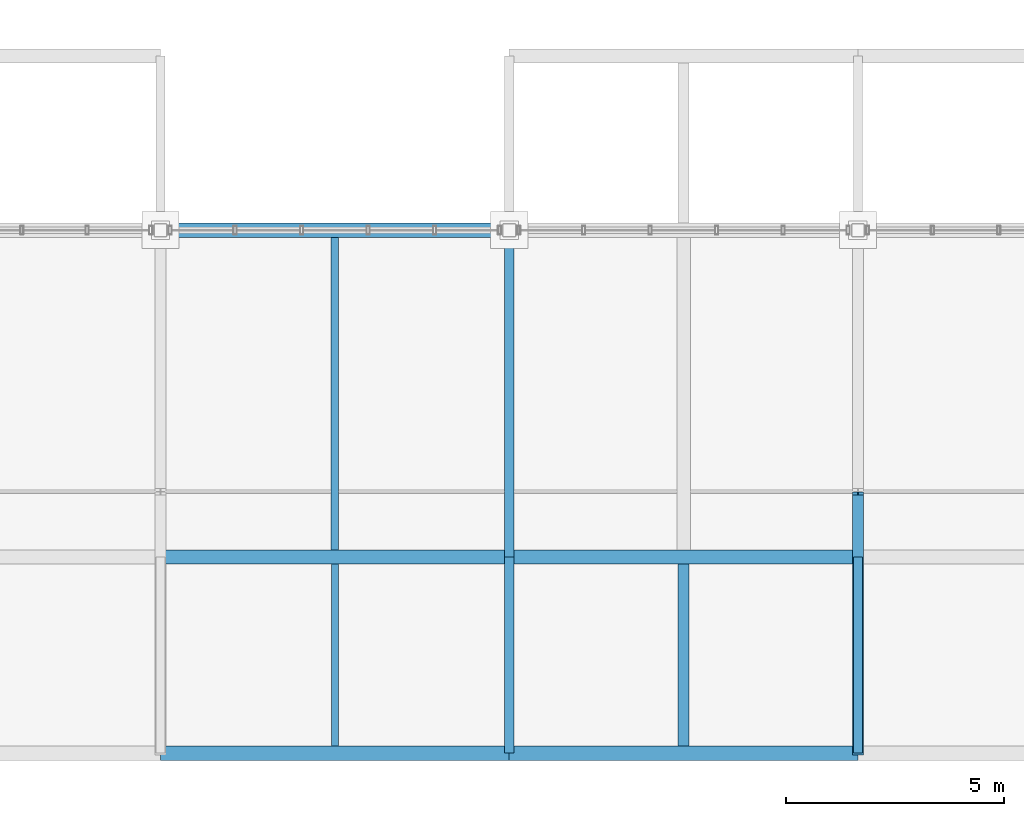
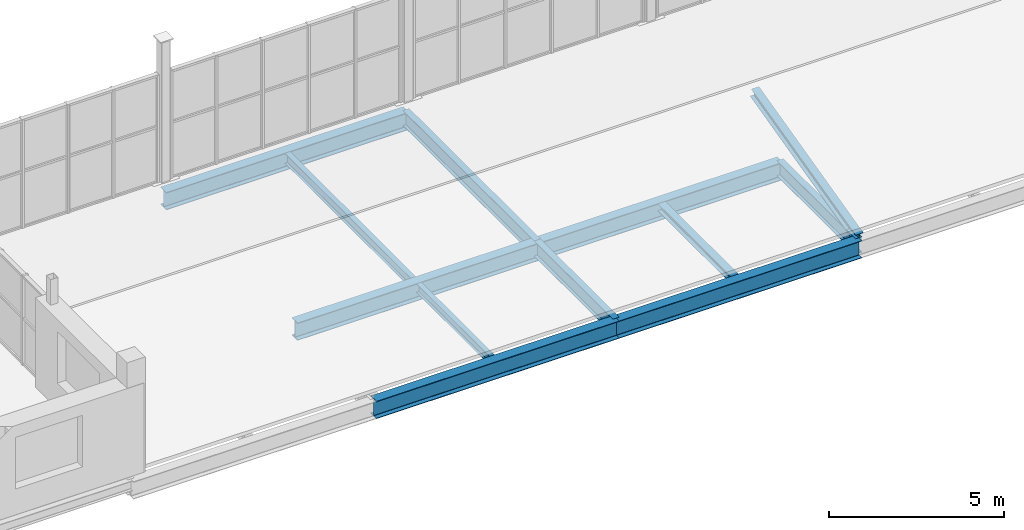
# One storey, part 22 of 96: 11 beams, 1 member.
"""IFC4 building model written with IfcOpenShell, lengths in metres."""

from ifc_helpers import new_model, si_unit, direction, frame, origin, origin_2d, place, context, subcontext, project, spatial, i_section, extrude, material, material_profile, profile_set, type_object, element, save


model = new_model("IFC4")

# Units and contexts
model_context = context("Model", 3, precision=1e-05, world=origin(), true_north=direction((0.0, 1.0)))
body_context = subcontext(model_context, "Body", "Model", "MODEL_VIEW")
ifc_project = project(units=[si_unit("LENGTHUNIT", "METRE"), si_unit("AREAUNIT", "SQUARE_METRE"), si_unit("VOLUMEUNIT", "CUBIC_METRE"), si_unit("PLANEANGLEUNIT", "RADIAN"), si_unit("MASSUNIT", "GRAM", prefix="KILO")], contexts=[model_context])

# Site, building, storey
site_placement = place(None, origin())
site = spatial("IfcSite", under=ifc_project, at=site_placement, CompositionType="ELEMENT")
building_placement = place(site_placement, origin())
building = spatial("IfcBuilding", under=site, at=building_placement, Name="Verrall Gate Interchange", CompositionType="ELEMENT")
storey_placement = place(building_placement, frame((0.0, 0.0, 11.39990234375)))
storey = spatial("IfcBuildingStorey", under=building, at=storey_placement, Name="L03", CompositionType="ELEMENT", Elevation=11.39990234375)

# Beams
ifc_material_1 = material(Name="Structural Steel CSA G40.21 350WT Cat 4", Category="steel")
ifc_material_profile_1 = material_profile(ifc_material_1, i_section(OverallWidth=0.323974609375, OverallDepth=0.611083984375, WebThickness=0.0126953125, FlangeThickness=0.01904296875, FilletRadius=0.014892578125, at=origin_2d()), Name="W610x155")
ifc_profile_set_1 = profile_set([ifc_material_profile_1], Name="Structural Steel CSA G40.21 350WT Cat 4")
beam_type_1 = type_object("IfcBeamType", Name="B-08 Structural Beam W610x155", PredefinedType="BEAM", material=ifc_profile_set_1)
for number, where, z_axis, x_axis, name in (
    (1, (44.0, 0.0, -0.635498046875), (1.0, 0.0, 0.0), (0.0, 1.0, 0.0), "L03 Girder BM-L03-1982 (B-08)"),
    (2, (52.0, 0.0, -0.635498046875), (1.0, 0.0, 0.0), (0.0, 1.0, 0.0), "L03 Girder BM-L03-1983 (B-08)"),
    (3, (44.0, 4.5, -0.635498046875), (1.0, 0.0, 0.0), (0.0, 1.0, 0.0), "L03 Girder BM-L03-1998 (B-08)"),
    (4, (52.0, 4.5, -0.635498046875), (1.0, 0.0, 0.0), (0.0, 1.0, 0.0), "L03 Girder BM-L03-1999 (B-08)"),
    (5, (44.0, 12.0, -0.635498046875), (1.0, 0.0, 0.0), (0.0, 1.0, 0.0), "L03 Girder BM-L03-2013 (B-08)"),
):
    element("IfcBeam", number, at=place(storey_placement, frame(where, z_axis=z_axis, x_axis=x_axis)), inside=storey, type_object=beam_type_1, Name=name, PredefinedType="BEAM", context=body_context, shape_type="SweptSolid", body=[
        extrude(i_section(OverallWidth=0.323974609375, OverallDepth=0.611083984375, WebThickness=0.0126953125, FlangeThickness=0.01904296875, FilletRadius=0.014892578125, at=origin_2d()), origin(), (0.0, 0.0, 1.0), 8.0),
    ])
ifc_material_2 = material(Name="Structural Steel CSA G40.21 350W", Category="steel")
ifc_material_profile_2 = material_profile(ifc_material_2, i_section(OverallWidth=0.2109375, OverallDepth=0.5390625, WebThickness=0.01171875, FlangeThickness=0.018798828125, FilletRadius=0.013916015625, at=origin_2d()), Name="W530x109")
ifc_profile_set_2 = profile_set([ifc_material_profile_2], Name="Structural Steel CSA G40.21 350W")
beam_type_2 = type_object("IfcBeamType", Name="B-10 Structural Beam W530x109", PredefinedType="BEAM", material=ifc_profile_set_2)
beam_1_placement = place(storey_placement, frame((52.0, 0.0, -0.599365234375), z_axis=(0.0, 1.0, 0.0), x_axis=(-1.0, 0.0, 0.0)))
element("IfcBeam", 6, at=beam_1_placement, inside=storey, type_object=beam_type_2, Name="L03 Girder BM-L03-2277 (B-10)", PredefinedType="BEAM", context=body_context, shape_type="SweptSolid", body=[
    extrude(i_section(OverallWidth=0.2109375, OverallDepth=0.5390625, WebThickness=0.01171875, FlangeThickness=0.018798828125, FilletRadius=0.013916015625, at=origin_2d()), origin(), (0.0, 0.0, 1.0), 4.5),
])
beam_2_placement = place(storey_placement, frame((52.0, 4.5, -0.599365234375), z_axis=(0.0, 1.0, 0.0), x_axis=(-1.0, 0.0, 0.0)))
element("IfcBeam", 7, at=beam_2_placement, inside=storey, type_object=beam_type_2, Name="L03 Girder BM-L03-2278 (B-10)", PredefinedType="BEAM", context=body_context, shape_type="SweptSolid", body=[
    extrude(i_section(OverallWidth=0.2109375, OverallDepth=0.5390625, WebThickness=0.01171875, FlangeThickness=0.018798828125, FilletRadius=0.013916015625, at=origin_2d()), origin(), (0.0, 0.0, 1.0), 7.5),
])
beam_3_placement = place(storey_placement, frame((60.0, 0.0, -0.599365234375), z_axis=(0.0, 1.0, 0.0), x_axis=(-1.0, 0.0, 0.0)))
element("IfcBeam", 8, at=beam_3_placement, inside=storey, type_object=beam_type_2, Name="L03 Girder BM-L03-2282 (B-10)", PredefinedType="BEAM", context=body_context, shape_type="SweptSolid", body=[
    extrude(i_section(OverallWidth=0.2109375, OverallDepth=0.5390625, WebThickness=0.01171875, FlangeThickness=0.018798828125, FilletRadius=0.013916015625, at=origin_2d()), origin(), (0.0, 0.0, 1.0), 4.5),
])
ifc_material_3 = material(Name="Structural Steel CSA G40.21 350W", Category="steel")
ifc_material_profile_3 = material_profile(ifc_material_3, i_section(OverallWidth=0.172119140625, OverallDepth=0.35791015625, WebThickness=0.0078125, FlangeThickness=0.01318359375, FilletRadius=0.010986328125, at=origin_2d()), Name="W360x57")
ifc_profile_set_3 = profile_set([ifc_material_profile_3], Name="Structural Steel CSA G40.21 350W")
beam_type_3 = type_object("IfcBeamType", Name="J-01 Floor Joist W360x57", PredefinedType="JOIST", material=ifc_profile_set_3)
beam_4_placement = place(storey_placement, frame((48.0, 4.662109375, -0.5087890625), z_axis=(0.0, 1.0, 0.0), x_axis=(-1.0, 0.0, 0.0)))
element("IfcBeam", 9, at=beam_4_placement, inside=storey, type_object=beam_type_3, Name="L03 Secondary Floor Joist JST-L03-2399", PredefinedType="JOIST", context=body_context, shape_type="SweptSolid", body=[
    extrude(i_section(OverallWidth=0.172119140625, OverallDepth=0.35791015625, WebThickness=0.0078125, FlangeThickness=0.01318359375, FilletRadius=0.010986328125, at=origin_2d()), origin(), (0.0, 0.0, 1.0), 7.17578125),
])
ifc_material_4 = material(Name="Structural Steel CSA G40.21 350W", Category="steel")
ifc_material_profile_4 = material_profile(ifc_material_4, i_section(OverallWidth=0.1650390625, OverallDepth=0.31005859375, WebThickness=0.005859375, FlangeThickness=0.009765625, FilletRadius=0.010009765625, at=origin_2d()), Name="W310x39")
ifc_profile_set_4 = profile_set([ifc_material_profile_4], Name="Structural Steel CSA G40.21 350W")
beam_type_4 = type_object("IfcBeamType", Name="J-04 Floor Joist W310x39", PredefinedType="JOIST", material=ifc_profile_set_4)
beam_5_placement = place(storey_placement, frame((48.0, 0.162109375, -0.48486328125), z_axis=(0.0, 1.0, 0.0), x_axis=(-1.0, 0.0, 0.0)))
element("IfcBeam", 10, at=beam_5_placement, inside=storey, type_object=beam_type_4, Name="L03 Secondary Floor Joist JST-L03-2385", PredefinedType="JOIST", context=body_context, shape_type="SweptSolid", body=[
    extrude(i_section(OverallWidth=0.1650390625, OverallDepth=0.31005859375, WebThickness=0.005859375, FlangeThickness=0.009765625, FilletRadius=0.010009765625, at=origin_2d()), origin(), (0.0, 0.0, 1.0), 4.17578125),
])
ifc_material_5 = material(Name="Structural Steel CSA G40.21 350W", Category="steel")
ifc_material_profile_5 = material_profile(ifc_material_5, i_section(OverallWidth=0.25390625, OverallDepth=0.2529296875, WebThickness=0.008544921875, FlangeThickness=0.01416015625, FilletRadius=0.011962890625, at=origin_2d()), Name="W250x73")
ifc_profile_set_5 = profile_set([ifc_material_profile_5], Name="Structural Steel CSA G40.21 350W")
beam_type_5 = type_object("IfcBeamType", Name="J-05 Floor Joist W250x73", PredefinedType="JOIST", material=ifc_profile_set_5)
beam_6_placement = place(storey_placement, frame((56.0, 0.162109375, -0.456298828125), z_axis=(0.0, 1.0, 0.0), x_axis=(-1.0, 0.0, 0.0)))
element("IfcBeam", 11, at=beam_6_placement, inside=storey, type_object=beam_type_5, Name="L03 Secondary Floor Joist JST-L03-2386", PredefinedType="JOIST", context=body_context, shape_type="SweptSolid", body=[
    extrude(i_section(OverallWidth=0.25390625, OverallDepth=0.2529296875, WebThickness=0.008544921875, FlangeThickness=0.01416015625, FilletRadius=0.011962890625, at=origin_2d()), origin(), (0.0, 0.0, 1.0), 4.17578125),
])

# Member
ifc_material_6 = material(Name="Structural Steel CSA G40.21 350WT Cat 4", Category="steel")
ifc_material_profile_6 = material_profile(ifc_material_6, i_section(OverallWidth=0.25390625, OverallDepth=0.305908203125, WebThickness=0.0087890625, FlangeThickness=0.0146484375, FilletRadius=0.012939453125, at=origin_2d()), Name="W310x79")
ifc_profile_set_6 = profile_set([ifc_material_profile_6], Name="Structural Steel CSA G40.21 350WT Cat 4")
member_type = type_object("IfcMemberType", Name="RF-03 Folded Roof Rafter W310x79", PredefinedType="RAFTER", material=ifc_profile_set_6)
member_placement = place(storey_placement, frame((60.0, 0.0, -0.31982421875), z_axis=(0.0, 0.970524816174, 0.241001205786), x_axis=(-1.0, 0.0, 0.0)))
element("IfcMember", 12, at=member_placement, inside=storey, type_object=member_type, Name="Portico Roof Rafter S 60", PredefinedType="RAFTER", context=body_context, shape_type="SweptSolid", body=[
    extrude(i_section(OverallWidth=0.25390625, OverallDepth=0.305908203125, WebThickness=0.0087890625, FlangeThickness=0.0146484375, FilletRadius=0.012939453125, at=origin_2d()), origin(), (0.0, 0.0, 1.0), 6.140869140625),
])

save(model, "model.ifc")
